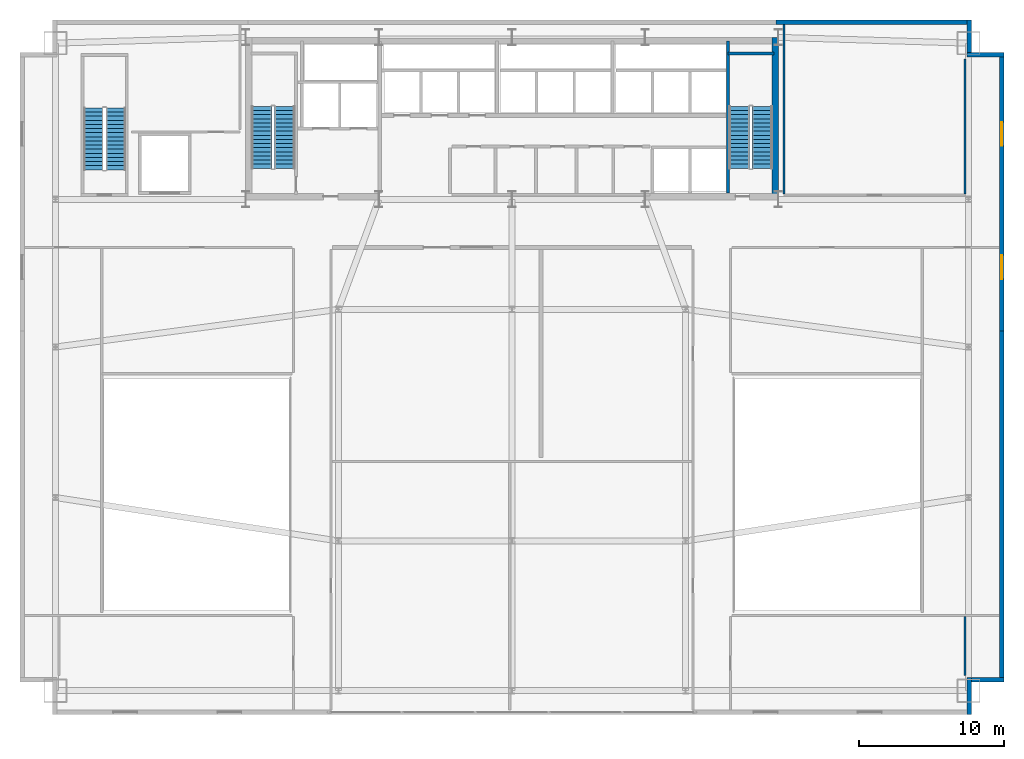
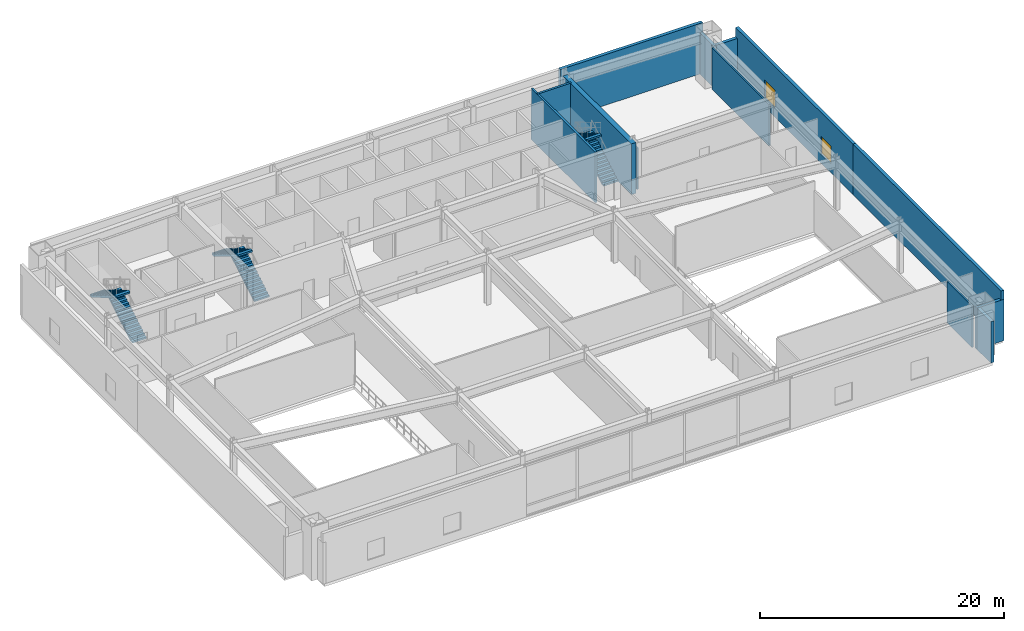
# One storey, part 11 of 13: 13 walls, 6 stair flights, 2 windows, 2 openings, 3 elements without a shape of their own.
"""IFC4 building model written with IfcOpenShell, lengths in metres."""

import ifcopenshell
import ifcopenshell.guid

model = None  # the IFC model being written
_history = None  # IfcOwnerHistory: only IFC2X3 demands one
_inside = {}  # id of a spatial element -> (the spatial element, [elements in it])
_under = {}  # id of a project, library or spatial element -> (it, [spatial elements below it])
_declared = {}  # id of a project -> (the project, [libraries it declares])
_typed = {}  # id of a type object -> (the type object, [elements of that type])
_made_of = {}  # id of a material, layer set ... -> (it, [elements and type objects made of it])


def new_model(schema):
    """Start an empty IFC model of exactly this schema.

    Asked for "IFC4X3", IfcOpenShell would pick the latest addendum, in which some entities
    have other attributes; the version numbers below select the first issue.
    IFC2X3 requires an IfcOwnerHistory on every rooted entity: one is made here for all.
    """
    global model, _history
    if schema == "IFC4X3":
        model = ifcopenshell.file(schema_version=(4, 3, 0, 0))
    else:
        model = ifcopenshell.file(schema=schema)
    _inside.clear()
    _under.clear()
    _declared.clear()
    _typed.clear()
    _made_of.clear()
    _history = None
    if model.schema == "IFC2X3":
        org = make("IfcOrganization", Name="unknown")
        user = make(
            "IfcPersonAndOrganization",
            ThePerson=make("IfcPerson", FamilyName="unknown"),
            TheOrganization=org,
        )
        app = make(
            "IfcApplication",
            ApplicationDeveloper=org,
            Version="unknown",
            ApplicationFullName="unknown",
            ApplicationIdentifier="unknown",
        )
        _history = make(
            "IfcOwnerHistory",
            OwningUser=user,
            OwningApplication=app,
            ChangeAction="ADDED",
            CreationDate=0,
        )
    return model


def make(cls, **values):
    """One entity of the class cls with the attributes given. An attribute that is None is left unset."""
    return model.create_entity(
        cls, **{name: value for name, value in values.items() if value is not None}
    )


def rooted(cls, **values):
    """An entity with a GlobalId (a new one), such as an element, a storey or a relation."""
    return make(cls, GlobalId=ifcopenshell.guid.new(), OwnerHistory=_history, **values)


def si_unit(unit_type, name, prefix=None):
    """IfcSIUnit, for example si_unit("LENGTHUNIT", "METRE", prefix="MILLI")."""
    return make("IfcSIUnit", UnitType=unit_type, Prefix=prefix, Name=name)


def assignment(units):
    """IfcUnitAssignment: the units of a project."""
    return None if units is None else make("IfcUnitAssignment", Units=units)


def point(xyz):
    """IfcCartesianPoint."""
    return None if xyz is None else make("IfcCartesianPoint", Coordinates=xyz)


def direction(xyz):
    """IfcDirection."""
    return None if xyz is None else make("IfcDirection", DirectionRatios=xyz)


def frame(location, z_axis=None, x_axis=None):
    """IfcAxis2Placement3D, a coordinate frame: its origin and axes. An axis left out is left unset."""
    return make(
        "IfcAxis2Placement3D",
        Location=point(location),
        Axis=direction(z_axis),
        RefDirection=direction(x_axis),
    )


def frame_2d(location, x_axis=None):
    """IfcAxis2Placement2D, a coordinate frame in the plane: its origin and x axis."""
    return make(
        "IfcAxis2Placement2D", Location=point(location), RefDirection=direction(x_axis)
    )


def origin():
    """The frame at (0, 0, 0) with its axes left unset."""
    return frame((0.0, 0.0, 0.0))


def place(relative_to, where):
    """IfcLocalPlacement: puts the frame where relative to a parent placement (None: the world)."""
    return make(
        "IfcLocalPlacement", PlacementRelTo=relative_to, RelativePlacement=where
    )


def context(
    kind, dimensions, precision=None, world=None, true_north=None, identifier=None
):
    """IfcGeometricRepresentationContext, for example the 3D "Model" context."""
    return make(
        "IfcGeometricRepresentationContext",
        ContextIdentifier=identifier,
        ContextType=kind,
        CoordinateSpaceDimension=dimensions,
        Precision=precision,
        WorldCoordinateSystem=world,
        TrueNorth=true_north,
    )


def subcontext(parent, identifier, kind, view, scale=None):
    """IfcGeometricRepresentationSubContext, for example "Body" below "Model"."""
    return make(
        "IfcGeometricRepresentationSubContext",
        ContextIdentifier=identifier,
        ContextType=kind,
        ParentContext=parent,
        TargetScale=scale,
        TargetView=view,
    )


def project(units=None, contexts=None):
    """IfcProject with its units and contexts."""
    return rooted(
        "IfcProject",
        Name="project",
        RepresentationContexts=contexts,
        UnitsInContext=assignment(units),
    )


def spatial(cls, under=None, at=None, **own):
    """A site, building, storey or space (cls), placed at a placement, below another one or the project."""
    s = rooted(cls, ObjectPlacement=at, **own)
    if under is not None:
        _under.setdefault(under.id(), (under, []))[1].append(s)
    return s


def polyline(points):
    """IfcPolyline through the points."""
    return make("IfcPolyline", Points=[point(p) for p in points])


def profile(cls, at=None, kind="AREA", **sizes):
    """A parametric profile (cls). Its sizes go by their IFC names, for example OverallWidth=200.0."""
    return make(cls, ProfileType=kind, Position=at, **sizes)


def rectangle(**sizes):
    """IfcRectangleProfileDef."""
    return profile("IfcRectangleProfileDef", **sizes)


def outline(outer, holes=None, kind="AREA"):
    """IfcArbitraryClosedProfileDef: a profile drawn as a closed curve; with holes, ...WithVoids."""
    if holes is None:
        return make("IfcArbitraryClosedProfileDef", ProfileType=kind, OuterCurve=outer)
    return make(
        "IfcArbitraryProfileDefWithVoids",
        ProfileType=kind,
        OuterCurve=outer,
        InnerCurves=holes,
    )


def extrude(swept, where, along, depth):
    """IfcExtrudedAreaSolid: the profile swept, set in the frame where, extruded along a direction by depth."""
    return make(
        "IfcExtrudedAreaSolid",
        SweptArea=swept,
        Position=where,
        ExtrudedDirection=direction(along),
        Depth=depth,
    )


def shape(context_of_items, identifier, shape_type, items):
    """IfcShapeRepresentation: the items that make up one representation, for example the "Body"."""
    return make(
        "IfcShapeRepresentation",
        ContextOfItems=context_of_items,
        RepresentationIdentifier=identifier,
        RepresentationType=shape_type,
        Items=items,
    )


def source(mapping_origin, context_of_items, identifier, shape_type, items):
    """IfcRepresentationMap: a shape defined once, which mapped items show again and again."""
    return make(
        "IfcRepresentationMap",
        MappingOrigin=mapping_origin,
        MappedRepresentation=shape(context_of_items, identifier, shape_type, items),
    )


def transform(
    local_origin,
    x_axis=None,
    y_axis=None,
    z_axis=None,
    scale=None,
    scale2=None,
    scale3=None,
    uniform=True,
):
    """IfcCartesianTransformationOperator3D, or its non-uniform kind. x_axis, y_axis, z_axis: its Axis1, 2, 3."""
    if uniform:
        return make(
            "IfcCartesianTransformationOperator3D",
            Axis1=direction(x_axis),
            Axis2=direction(y_axis),
            LocalOrigin=point(local_origin),
            Scale=scale,
            Axis3=direction(z_axis),
        )
    return make(
        "IfcCartesianTransformationOperator3DnonUniform",
        Axis1=direction(x_axis),
        Axis2=direction(y_axis),
        LocalOrigin=point(local_origin),
        Scale=scale,
        Axis3=direction(z_axis),
        Scale2=scale2,
        Scale3=scale3,
    )


def mapped(mapping_source, mapping_target):
    """IfcMappedItem: shows the shape of a source again, moved by a transform."""
    return make(
        "IfcMappedItem", MappingSource=mapping_source, MappingTarget=mapping_target
    )


def material(Name=None, Category=None):
    """IfcMaterial."""
    return make("IfcMaterial", Name=Name, Category=Category)


def layer(
    of_material, thickness, ventilated=None, Name=None, Category=None, Priority=None
):
    """IfcMaterialLayer: one layer of a wall or slab, of a material (None: an air gap)."""
    return make(
        "IfcMaterialLayer",
        Material=of_material,
        LayerThickness=thickness,
        IsVentilated=ventilated,
        Name=Name,
        Category=Category,
        Priority=Priority,
    )


def layer_set(layers, Name=None):
    """IfcMaterialLayerSet."""
    return make("IfcMaterialLayerSet", MaterialLayers=layers, LayerSetName=Name)


def made_of(thing, what):
    """Note that an element or type object is made of a material, layer set ...; save() writes the relation."""
    if what is not None:
        _made_of.setdefault(what.id(), (what, []))[1].append(thing)
    return thing


def type_object(cls, material=None, **own):
    """A type object (cls), such as IfcWallType, which elements share."""
    return made_of(rooted(cls, **own), material)


def type_shapes(of_type, sources):
    """Give a type object the sources (RepresentationMaps) that its elements show as mapped items."""
    of_type.RepresentationMaps = sources


def element(
    cls,
    number,
    at=None,
    inside=None,
    cuts=None,
    type_object=None,
    material=None,
    context=None,
    identifier="Body",
    shape_type=None,
    held_by="IfcProductDefinitionShape",
    body=None,
    shapes=None,
    **own,
):
    """One element of the class cls, such as IfcWall. Its Tag is "e" and its number.

    at: its placement. inside: the storey or other place that contains it. cuts: it is an
    opening in that element (IfcRelVoidsElement). A single representation is given by context,
    identifier, shape_type and body (its items); several are given by shapes. held_by: the class
    of the entity that holds the representations. save() writes the other relations.
    """
    e = rooted(cls, Tag="e%d" % number, ObjectPlacement=at, **own)
    if body is not None:
        shapes = [shape(context, identifier, shape_type, body)]
    if shapes is not None:
        e.Representation = make(held_by, Representations=shapes)
    if inside is not None:
        _inside.setdefault(inside.id(), (inside, []))[1].append(e)
    if cuts is not None:
        rooted(
            "IfcRelVoidsElement", RelatingBuildingElement=cuts, RelatedOpeningElement=e
        )
    if type_object is not None:
        _typed.setdefault(type_object.id(), (type_object, []))[1].append(e)
    return made_of(e, material)


def fill(opening, filler):
    """IfcRelFillsElement: the door or window that sits in an opening."""
    return rooted(
        "IfcRelFillsElement",
        RelatingOpeningElement=opening,
        RelatedBuildingElement=filler,
    )


def aggregate(whole, parts):
    """IfcRelAggregates: a whole, such as a stair, and the parts it consists of."""
    return rooted("IfcRelAggregates", RelatingObject=whole, RelatedObjects=parts)


def save(model, path):
    """Write the relations noted so far, then the file.

    IfcRelAggregates (storeys below a building ...), IfcRelContainedInSpatialStructure (elements
    in a storey), IfcRelDefinesByType, IfcRelAssociatesMaterial and IfcRelDeclares: one each for
    every whole, place, type object, material and project.
    """
    for whole, parts in _under.values():
        aggregate(whole, parts)
    for where, things in _inside.values():
        rooted(
            "IfcRelContainedInSpatialStructure",
            RelatedElements=things,
            RelatingStructure=where,
        )
    for kind, things in _typed.values():
        rooted("IfcRelDefinesByType", RelatedObjects=things, RelatingType=kind)
    for what, things in _made_of.values():
        rooted("IfcRelAssociatesMaterial", RelatedObjects=things, RelatingMaterial=what)
    for by, libraries in _declared.values():
        rooted("IfcRelDeclares", RelatingContext=by, RelatedDefinitions=libraries)
    model.write(path)


model = new_model("IFC4")

# Units and contexts
model_context = context("Model", 3, precision=1e-05, world=origin(), true_north=direction((0.0, 1.0)))
body_context = subcontext(model_context, "Body", "Model", "MODEL_VIEW")
ifc_project = project(units=[si_unit("LENGTHUNIT", "METRE"), si_unit("AREAUNIT", "SQUARE_METRE"), si_unit("VOLUMEUNIT", "CUBIC_METRE"), si_unit("PLANEANGLEUNIT", "RADIAN"), si_unit("MASSUNIT", "GRAM", prefix="KILO")], contexts=[model_context])

# Site, building, storey
site_placement = place(None, origin())
site = spatial("IfcSite", under=ifc_project, at=site_placement, CompositionType="ELEMENT")
building_placement = place(site_placement, origin())
building = spatial("IfcBuilding", under=site, at=building_placement, Name="Varnel Quay Broadcast Tower", CompositionType="ELEMENT")
storey_placement = place(building_placement, frame((0.0, 0.0, 16.800048828125)))
storey = spatial("IfcBuildingStorey", under=building, at=storey_placement, Name="L03", CompositionType="ELEMENT", Elevation=16.800048828125)

# Walls
ifc_material_1 = material(Name="Concrete CSA A23.3 C50/60", Category="concrete")
ifc_layer_1 = layer(ifc_material_1, 0.199951171875, Name="Concrete CSA A23.3 C50/60")
ifc_layer_set_1 = layer_set([ifc_layer_1], Name="Concrete CSA A23.3 C50/60")
wall_type_1 = type_object("IfcWallType", Name="Wall_CoreShaftShear200", PredefinedType="SHEAR", material=ifc_layer_set_1)
wall_1_placement = place(storey_placement, frame((48.919921875, 36.050048828125, 0.0), z_axis=(0.0, 0.0, 1.0), x_axis=(0.0, 1.0, 0.0)))
element("IfcWall", 1, at=wall_1_placement, inside=storey, type_object=wall_type_1, Name="L03 Stair 2 West Structural Wall", PredefinedType="SHEAR", context=body_context, shape_type="SweptSolid", body=[
    extrude(rectangle(XDim=10.5, YDim=0.199951171875, at=frame_2d((5.25, 0.0))), origin(), (0.0, 0.0, 1.0), 5.079833984375),
])
wall_2_placement = place(storey_placement, frame((48.919921875, 45.679931640625, 0.0), z_axis=(0.0, 0.0, 1.0), x_axis=(1.0, 0.0, 0.0)))
element("IfcWall", 2, at=wall_2_placement, inside=storey, type_object=wall_type_1, Name="L03 Stair 2 North Structural Wall", PredefinedType="SHEAR", context=body_context, shape_type="SweptSolid", body=[
    extrude(rectangle(XDim=3.18017578125, YDim=0.199951171875, at=frame_2d((1.590087890625, 0.0))), origin(), (0.0, 0.0, 1.0), 5.079833984375),
])
ifc_material_2 = material(Name="Concrete CSA A23.3 C60/75", Category="concrete")
ifc_layer_2 = layer(ifc_material_2, 0.449951171875, Name="Concrete CSA A23.3 C60/75")
ifc_layer_set_2 = layer_set([ifc_layer_2], Name="Concrete CSA A23.3 C60/75")
wall_type_2 = type_object("IfcWallType", Name="Wall_CoreShearInt450", PredefinedType="SHEAR", material=ifc_layer_set_2)
wall_3_placement = place(storey_placement, frame((52.205078125, 35.570068359375, 0.0), z_axis=(0.0, 0.0, 1.0), x_axis=(0.0, 1.0, 0.0)))
element("IfcWall", 3, at=wall_3_placement, inside=storey, type_object=wall_type_2, Name="L03 East Core Shear Wall", PredefinedType="SHEAR", context=body_context, shape_type="SweptSolid", body=[
    extrude(rectangle(XDim=11.22998046875, YDim=0.449951171875, at=frame_2d((5.614990234375, 0.0))), origin(), (0.0, 0.0, 1.0), 5.079833984375),
])
ifc_material_3 = material(Name="Precast Architectural Concrete C40/50", Category="concrete")
ifc_layer_3 = layer(ifc_material_3, 0.300048828125, Name="Precast Architectural Concrete C40/50")
ifc_layer_set_3 = layer_set([ifc_layer_3], Name="Precast Architectural Concrete C40/50")
wall_type_3 = type_object("IfcWallType", Name="Wall_ExtPodium300", PredefinedType="SOLIDWALL", material=ifc_layer_set_3)
wall_4_placement = place(storey_placement, frame((52.25, 47.85009765625, 0.0), z_axis=(0.0, 0.0, 1.0), x_axis=(1.0, 0.0, 0.0)))
element("IfcWall", 4, at=wall_4_placement, inside=storey, type_object=wall_type_3, Name="L03 North Podium Exterior Wall NE", PredefinedType="SOLIDWALL", context=body_context, shape_type="SweptSolid", body=[
    extrude(rectangle(XDim=13.5, YDim=0.300048828125, at=frame_2d((6.75, 0.0))), origin(), (0.0, 0.0, 1.0), 5.06005859375),
])
wall_5_placement = place(storey_placement, frame((67.85009765625, 2.25, 0.0), z_axis=(0.0, 0.0, 1.0), x_axis=(0.0, 1.0, 0.0)))
element("IfcWall", 5, at=wall_5_placement, inside=storey, type_object=wall_type_3, Name="L03 Podium Acoustic Exterior Wall E1", PredefinedType="SOLIDWALL", context=body_context, shape_type="SweptSolid", body=[
    extrude(rectangle(XDim=24.35009765625, YDim=0.300048828125, at=frame_2d((12.175048828125, 0.0))), origin(), (0.0, 0.0, 1.0), 5.06005859375),
])

# Wall, openings, windows
wall_6_placement = place(storey_placement, frame((67.85009765625, 26.5, 0.0), z_axis=(0.0, 0.0, 1.0), x_axis=(0.0, 1.0, 0.0)))
wall_6 = element("IfcWall", 6, at=wall_6_placement, inside=storey, type_object=wall_type_3, Name="L03 Podium Acoustic Exterior Wall E2", PredefinedType="SOLIDWALL", context=body_context, shape_type="SweptSolid", body=[
    extrude(rectangle(XDim=19.25, YDim=0.300048828125, at=frame_2d((9.625, 0.0))), origin(), (0.0, 0.0, 1.0), 5.06005859375),
])
opening_1_placement = place(wall_6_placement, frame((3.60009765625, 0.0, 0.89990234375)))
opening_1 = element("IfcOpeningElement", 7, at=opening_1_placement, cuts=wall_6, Name="Opening W-05", PredefinedType="OPENING", context=body_context, shape_type="SweptSolid", body=[
    extrude(rectangle(XDim=1.64990234375, YDim=1.800048828125, at=frame_2d((0.824951171875, 0.89990234375))), frame((0.0, 0.16015625, 0.0), z_axis=(0.0, -1.0, 0.0), x_axis=(1.0, 0.0, 0.0)), (0.0, 0.0, 1.0), 0.320068359375),
])
opening_2_placement = place(wall_6_placement, frame((12.800048828125, 0.0, 0.89990234375)))
opening_2 = element("IfcOpeningElement", 8, at=opening_2_placement, cuts=wall_6, Name="Opening W-05", PredefinedType="OPENING", context=body_context, shape_type="SweptSolid", body=[
    extrude(rectangle(XDim=1.64990234375, YDim=1.800048828125, at=frame_2d((0.824951171875, 0.89990234375))), frame((0.0, 0.16015625, 0.0), z_axis=(0.0, -1.0, 0.0), x_axis=(1.0, 0.0, 0.0)), (0.0, 0.0, 1.0), 0.320068359375),
])
ifc_material_4 = material(Name="Triple-Glazed Bronze Low-E Architectural Glass", Category="glass")
window_type = type_object("IfcWindowType", Name="Win_PodiumStudio1650", PartitioningType="SINGLE_PANEL", PredefinedType="WINDOW", material=ifc_material_4)
shared_shape = source(origin(), body_context, "Body", "SweptSolid", [
    extrude(rectangle(XDim=1.64990234375, YDim=1.800048828125, at=frame_2d((0.824951171875, 0.89990234375))), frame((0.0, 0.030029296875, 0.0), z_axis=(0.0, -1.0, 0.0), x_axis=(1.0, 0.0, 0.0)), (0.0, 0.0, 1.0), 0.06005859375),
])
type_shapes(window_type, [shared_shape])
window_1_placement = place(opening_1_placement, origin())
window_1 = element("IfcWindow", 9, at=window_1_placement, inside=storey, type_object=window_type, Name="L03 Podium Window E2-1", OverallHeight=1.800048828125, OverallWidth=1.64990234375, PartitioningType="SINGLE_PANEL", PredefinedType="WINDOW", context=body_context, shape_type="MappedRepresentation", body=[
    mapped(shared_shape, transform((0.0, 0.0, 0.0), x_axis=(1.0, 0.0, 0.0), y_axis=(0.0, 1.0, 0.0), z_axis=(0.0, 0.0, 1.0), scale=1.0)),
])
fill(opening_1, window_1)
window_2_placement = place(opening_2_placement, origin())
window_2 = element("IfcWindow", 10, at=window_2_placement, inside=storey, type_object=window_type, Name="L03 Podium Window E2-2", OverallHeight=1.800048828125, OverallWidth=1.64990234375, PartitioningType="SINGLE_PANEL", PredefinedType="WINDOW", context=body_context, shape_type="MappedRepresentation", body=[
    mapped(shared_shape, transform((0.0, 0.0, 0.0), x_axis=(1.0, 0.0, 0.0), y_axis=(0.0, 1.0, 0.0), z_axis=(0.0, 0.0, 1.0), scale=1.0)),
])
fill(opening_2, window_2)

# Walls
for number, where, z_axis, x_axis, name in (
    (11, (65.60009765625, 0.0, 0.0), (0.0, 0.0, 1.0), (0.0, 1.0, 0.0), "L03 Podium Acoustic Exterior Wall NSE1"),
    (12, (65.449951171875, 2.39990234375, 0.0), (0.0, 0.0, 1.0), (1.0, 0.0, 0.0), "L03 Podium Acoustic Exterior Wall NSE2"),
    (13, (65.449951171875, 45.60009765625, 0.0), (0.0, 0.0, 1.0), (1.0, 0.0, 0.0), "L03 Podium Acoustic Exterior Wall NNE1"),
    (14, (65.60009765625, 45.449951171875, 0.0), (0.0, 0.0, 1.0), (0.0, 1.0, 0.0), "L03 Podium Acoustic Exterior Wall NNE2"),
):
    element("IfcWall", number, at=place(storey_placement, frame(where, z_axis=z_axis, x_axis=x_axis)), inside=storey, type_object=wall_type_3, Name=name, PredefinedType="SOLIDWALL", context=body_context, shape_type="SweptSolid", body=[
        extrude(rectangle(XDim=2.550048828125, YDim=0.300048828125, at=frame_2d((1.27490234375, 0.0))), origin(), (0.0, 0.0, 1.0), 4.14306640625),
    ])
ifc_material_5 = material(Name="Steel-Stud Fire-Rated Acoustic Gypsum Partition Assembly", Category="steel")
ifc_layer_4 = layer(ifc_material_5, 0.14990234375, Name="Steel-Stud Fire-Rated Acoustic Gypsum Partition Assembly")
ifc_layer_set_4 = layer_set([ifc_layer_4], Name="Steel-Stud Fire-Rated Acoustic Gypsum Partition Assembly")
wall_type_4 = type_object("IfcWallType", Name="Wall_Partition150", PredefinedType="PARTITIONING", material=ifc_layer_set_4)
wall_7_placement = place(storey_placement, frame((65.300048828125, 2.699951171875, 0.0), z_axis=(0.0, 0.0, 1.0), x_axis=(0.0, 1.0, 0.0)))
element("IfcWall", 15, at=wall_7_placement, inside=storey, type_object=wall_type_4, Name="L03 South-East Acoustic Edit Office Partition 17", PredefinedType="PARTITIONING", context=body_context, shape_type="SweptSolid", body=[
    extrude(rectangle(XDim=4.074951171875, YDim=0.14990234375, at=frame_2d((2.03759765625, 0.0))), origin(), (0.0, 0.0, 1.0), 4.14306640625),
])
wall_8_placement = place(storey_placement, frame((65.300048828125, 35.97509765625, 0.0), z_axis=(0.0, 0.0, 1.0), x_axis=(0.0, 1.0, 0.0)))
element("IfcWall", 16, at=wall_8_placement, inside=storey, type_object=wall_type_4, Name="L03 Broadcast Engineering Office Partition 31", PredefinedType="PARTITIONING", context=body_context, shape_type="SweptSolid", body=[
    extrude(rectangle(XDim=9.324951171875, YDim=0.14990234375, at=frame_2d((4.66259765625, 0.0))), origin(), (0.0, 0.0, 1.0), 4.14306640625),
])
wall_9_placement = place(storey_placement, frame((52.800048828125, 35.97509765625, 0.0), z_axis=(0.0, 0.0, 1.0), x_axis=(0.0, 1.0, 0.0)))
element("IfcWall", 17, at=wall_9_placement, inside=storey, type_object=wall_type_4, Name="L03 Broadcast Engineering Office Partition 32", PredefinedType="PARTITIONING", context=body_context, shape_type="SweptSolid", body=[
    extrude(rectangle(XDim=11.71484375, YDim=0.14990234375, at=frame_2d((5.857421875, 0.0))), origin(), (0.0, 0.0, 1.0), 4.14306640625),
])

# Stair, stair flights
ifc_material_6 = material(Name="Precast Structural Concrete C40/50", Category="concrete")
stair_type_1 = type_object("IfcStairType", Name="Stair_ST-01", PredefinedType="HALF_TURN_STAIR", material=ifc_material_6)
stair_1_placement = place(storey_placement, origin())
stair_1 = element("IfcStair", 18, at=stair_1_placement, inside=storey, type_object=stair_type_1, Name="L03 West Core Exit Stair 1", PredefinedType="HALF_TURN_STAIR")
stair_flight_type_1 = type_object("IfcStairFlightType", Name="Flight_ST-01", PredefinedType="STRAIGHT", material=ifc_material_6)
stair_flight_1_placement = place(storey_placement, frame((18.300048828125, 37.75, 0.0), z_axis=(0.0, 0.0, 1.0), x_axis=(0.0, 1.0, 0.0)))
stair_flight_1 = element("IfcStairFlight", 19, at=stair_flight_1_placement, type_object=stair_flight_type_1, Name="ST-01 flight 1", NumberOfRisers=16, NumberOfTreads=15, PredefinedType="STRAIGHT", RiserHeight=0.16875, TreadLength=0.285, context=body_context, shape_type="SweptSolid", body=[
    extrude(outline(polyline([(0.0, 0.0), (0.0, 0.168701171875), (0.284912109375, 0.168701171875), (0.284912109375, 0.33740234375), (0.570068359375, 0.33740234375), (0.570068359375, 0.50634765625), (0.85498046875, 0.50634765625), (0.85498046875, 0.675048828125), (1.139892578125, 0.675048828125), (1.139892578125, 0.84375), (1.425048828125, 0.84375), (1.425048828125, 1.012451171875), (1.7099609375, 1.012451171875), (1.7099609375, 1.18115234375), (1.9951171875, 1.18115234375), (1.9951171875, 1.35009765625), (2.280029296875, 1.35009765625), (2.280029296875, 1.518798828125), (2.56494140625, 1.518798828125), (2.56494140625, 1.6875), (2.85009765625, 1.6875), (2.85009765625, 1.856201171875), (3.135009765625, 1.856201171875), (3.135009765625, 2.02490234375), (3.419921875, 2.02490234375), (3.419921875, 2.19384765625), (3.705078125, 2.19384765625), (3.705078125, 2.362548828125), (3.989990234375, 2.362548828125), (3.989990234375, 2.53125), (4.27490234375, 2.53125), (4.27490234375, 2.699951171875), (4.27490234375, 2.35693359375), (0.294189453125, 0.0), (0.0, 0.0)])), frame((0.0, 0.699951171875, 0.0), z_axis=(0.0, -1.0, 0.0), x_axis=(1.0, 0.0, 0.0)), (0.0, 0.0, 1.0), 1.39990234375),
])
stair_flight_2_placement = place(storey_placement, frame((16.699951171875, 42.02490234375, 2.699951171875), z_axis=(0.0, 0.0, 1.0), x_axis=(0.0, -1.0, 0.0)))
stair_flight_2 = element("IfcStairFlight", 20, at=stair_flight_2_placement, type_object=stair_flight_type_1, Name="ST-01 flight 2", NumberOfRisers=16, NumberOfTreads=15, PredefinedType="STRAIGHT", RiserHeight=0.16875, TreadLength=0.285, context=body_context, shape_type="SweptSolid", body=[
    extrude(outline(polyline([(0.0, 0.0), (0.0, 0.168701171875), (0.284912109375, 0.168701171875), (0.284912109375, 0.33740234375), (0.570068359375, 0.33740234375), (0.570068359375, 0.50634765625), (0.85498046875, 0.50634765625), (0.85498046875, 0.675048828125), (1.139892578125, 0.675048828125), (1.139892578125, 0.84375), (1.425048828125, 0.84375), (1.425048828125, 1.012451171875), (1.7099609375, 1.012451171875), (1.7099609375, 1.18115234375), (1.9951171875, 1.18115234375), (1.9951171875, 1.35009765625), (2.280029296875, 1.35009765625), (2.280029296875, 1.518798828125), (2.56494140625, 1.518798828125), (2.56494140625, 1.6875), (2.85009765625, 1.6875), (2.85009765625, 1.856201171875), (3.135009765625, 1.856201171875), (3.135009765625, 2.02490234375), (3.419921875, 2.02490234375), (3.419921875, 2.19384765625), (3.705078125, 2.19384765625), (3.705078125, 2.362548828125), (3.989990234375, 2.362548828125), (3.989990234375, 2.53125), (4.27490234375, 2.53125), (4.27490234375, 2.699951171875), (4.27490234375, 2.35693359375), (0.294189453125, 0.0), (0.0, 0.0)])), frame((0.0, 0.699951171875, 0.0), z_axis=(0.0, -1.0, 0.0), x_axis=(1.0, 0.0, 0.0)), (0.0, 0.0, 1.0), 1.39990234375),
])
aggregate(stair_1, [stair_flight_1, stair_flight_2])

stair_type_2 = type_object("IfcStairType", Name="Stair_ST-02", PredefinedType="HALF_TURN_STAIR", material=ifc_material_6)
stair_2_placement = place(storey_placement, origin())
stair_2 = element("IfcStair", 21, at=stair_2_placement, inside=storey, type_object=stair_type_2, Name="L03 East Core Exit Stair 2", PredefinedType="HALF_TURN_STAIR")
stair_flight_type_2 = type_object("IfcStairFlightType", Name="Flight_ST-02", PredefinedType="STRAIGHT", material=ifc_material_6)
stair_flight_3_placement = place(storey_placement, frame((51.300048828125, 37.75, 0.0), z_axis=(0.0, 0.0, 1.0), x_axis=(0.0, 1.0, 0.0)))
stair_flight_3 = element("IfcStairFlight", 22, at=stair_flight_3_placement, type_object=stair_flight_type_2, Name="ST-02 flight 1", NumberOfRisers=16, NumberOfTreads=15, PredefinedType="STRAIGHT", RiserHeight=0.16875, TreadLength=0.285, context=body_context, shape_type="SweptSolid", body=[
    extrude(outline(polyline([(0.0, 0.0), (0.0, 0.168701171875), (0.284912109375, 0.168701171875), (0.284912109375, 0.33740234375), (0.570068359375, 0.33740234375), (0.570068359375, 0.50634765625), (0.85498046875, 0.50634765625), (0.85498046875, 0.675048828125), (1.139892578125, 0.675048828125), (1.139892578125, 0.84375), (1.425048828125, 0.84375), (1.425048828125, 1.012451171875), (1.7099609375, 1.012451171875), (1.7099609375, 1.18115234375), (1.9951171875, 1.18115234375), (1.9951171875, 1.35009765625), (2.280029296875, 1.35009765625), (2.280029296875, 1.518798828125), (2.56494140625, 1.518798828125), (2.56494140625, 1.6875), (2.85009765625, 1.6875), (2.85009765625, 1.856201171875), (3.135009765625, 1.856201171875), (3.135009765625, 2.02490234375), (3.419921875, 2.02490234375), (3.419921875, 2.19384765625), (3.705078125, 2.19384765625), (3.705078125, 2.362548828125), (3.989990234375, 2.362548828125), (3.989990234375, 2.53125), (4.27490234375, 2.53125), (4.27490234375, 2.699951171875), (4.27490234375, 2.35693359375), (0.294189453125, 0.0), (0.0, 0.0)])), frame((0.0, 0.699951171875, 0.0), z_axis=(0.0, -1.0, 0.0), x_axis=(1.0, 0.0, 0.0)), (0.0, 0.0, 1.0), 1.39990234375),
])
stair_flight_4_placement = place(storey_placement, frame((49.699951171875, 42.02490234375, 2.699951171875), z_axis=(0.0, 0.0, 1.0), x_axis=(0.0, -1.0, 0.0)))
stair_flight_4 = element("IfcStairFlight", 23, at=stair_flight_4_placement, type_object=stair_flight_type_2, Name="ST-02 flight 2", NumberOfRisers=16, NumberOfTreads=15, PredefinedType="STRAIGHT", RiserHeight=0.16875, TreadLength=0.285, context=body_context, shape_type="SweptSolid", body=[
    extrude(outline(polyline([(0.0, 0.0), (0.0, 0.168701171875), (0.284912109375, 0.168701171875), (0.284912109375, 0.33740234375), (0.570068359375, 0.33740234375), (0.570068359375, 0.50634765625), (0.85498046875, 0.50634765625), (0.85498046875, 0.675048828125), (1.139892578125, 0.675048828125), (1.139892578125, 0.84375), (1.425048828125, 0.84375), (1.425048828125, 1.012451171875), (1.7099609375, 1.012451171875), (1.7099609375, 1.18115234375), (1.9951171875, 1.18115234375), (1.9951171875, 1.35009765625), (2.280029296875, 1.35009765625), (2.280029296875, 1.518798828125), (2.56494140625, 1.518798828125), (2.56494140625, 1.6875), (2.85009765625, 1.6875), (2.85009765625, 1.856201171875), (3.135009765625, 1.856201171875), (3.135009765625, 2.02490234375), (3.419921875, 2.02490234375), (3.419921875, 2.19384765625), (3.705078125, 2.19384765625), (3.705078125, 2.362548828125), (3.989990234375, 2.362548828125), (3.989990234375, 2.53125), (4.27490234375, 2.53125), (4.27490234375, 2.699951171875), (4.27490234375, 2.35693359375), (0.294189453125, 0.0), (0.0, 0.0)])), frame((0.0, 0.699951171875, 0.0), z_axis=(0.0, -1.0, 0.0), x_axis=(1.0, 0.0, 0.0)), (0.0, 0.0, 1.0), 1.39990234375),
])
aggregate(stair_2, [stair_flight_3, stair_flight_4])

stair_type_3 = type_object("IfcStairType", Name="Stair_ST-03", PredefinedType="HALF_TURN_STAIR", material=ifc_material_6)
stair_3_placement = place(storey_placement, origin())
stair_3 = element("IfcStair", 24, at=stair_3_placement, inside=storey, type_object=stair_type_3, Name="L03 Podium Studio Exit Stair 3", PredefinedType="HALF_TURN_STAIR")
stair_flight_type_3 = type_object("IfcStairFlightType", Name="Flight_ST-03", PredefinedType="STRAIGHT", material=ifc_material_6)
stair_flight_5_placement = place(storey_placement, frame((6.625, 37.64990234375, 0.0), z_axis=(0.0, 0.0, 1.0), x_axis=(0.0, 1.0, 0.0)))
stair_flight_5 = element("IfcStairFlight", 25, at=stair_flight_5_placement, type_object=stair_flight_type_3, Name="ST-03 flight 1", NumberOfRisers=16, NumberOfTreads=15, PredefinedType="STRAIGHT", RiserHeight=0.16875, TreadLength=0.285, context=body_context, shape_type="SweptSolid", body=[
    extrude(outline(polyline([(0.0, 0.0), (0.0, 0.168701171875), (0.284912109375, 0.168701171875), (0.284912109375, 0.33740234375), (0.570068359375, 0.33740234375), (0.570068359375, 0.50634765625), (0.85498046875, 0.50634765625), (0.85498046875, 0.675048828125), (1.139892578125, 0.675048828125), (1.139892578125, 0.84375), (1.425048828125, 0.84375), (1.425048828125, 1.012451171875), (1.7099609375, 1.012451171875), (1.7099609375, 1.18115234375), (1.9951171875, 1.18115234375), (1.9951171875, 1.35009765625), (2.280029296875, 1.35009765625), (2.280029296875, 1.518798828125), (2.56494140625, 1.518798828125), (2.56494140625, 1.6875), (2.85009765625, 1.6875), (2.85009765625, 1.856201171875), (3.135009765625, 1.856201171875), (3.135009765625, 2.02490234375), (3.419921875, 2.02490234375), (3.419921875, 2.19384765625), (3.705078125, 2.19384765625), (3.705078125, 2.362548828125), (3.989990234375, 2.362548828125), (3.989990234375, 2.53125), (4.27490234375, 2.53125), (4.27490234375, 2.699951171875), (4.27490234375, 2.35693359375), (0.294189453125, 0.0), (0.0, 0.0)])), frame((0.0, 0.675048828125, 0.0), z_axis=(0.0, -1.0, 0.0), x_axis=(1.0, 0.0, 0.0)), (0.0, 0.0, 1.0), 1.35009765625),
])
stair_flight_6_placement = place(storey_placement, frame((5.074951171875, 41.925048828125, 2.699951171875), z_axis=(0.0, 0.0, 1.0), x_axis=(0.0, -1.0, 0.0)))
stair_flight_6 = element("IfcStairFlight", 26, at=stair_flight_6_placement, type_object=stair_flight_type_3, Name="ST-03 flight 2", NumberOfRisers=16, NumberOfTreads=15, PredefinedType="STRAIGHT", RiserHeight=0.16875, TreadLength=0.285, context=body_context, shape_type="SweptSolid", body=[
    extrude(outline(polyline([(0.0, 0.0), (0.0, 0.168701171875), (0.284912109375, 0.168701171875), (0.284912109375, 0.33740234375), (0.570068359375, 0.33740234375), (0.570068359375, 0.50634765625), (0.85498046875, 0.50634765625), (0.85498046875, 0.675048828125), (1.139892578125, 0.675048828125), (1.139892578125, 0.84375), (1.425048828125, 0.84375), (1.425048828125, 1.012451171875), (1.7099609375, 1.012451171875), (1.7099609375, 1.18115234375), (1.9951171875, 1.18115234375), (1.9951171875, 1.35009765625), (2.280029296875, 1.35009765625), (2.280029296875, 1.518798828125), (2.56494140625, 1.518798828125), (2.56494140625, 1.6875), (2.85009765625, 1.6875), (2.85009765625, 1.856201171875), (3.135009765625, 1.856201171875), (3.135009765625, 2.02490234375), (3.419921875, 2.02490234375), (3.419921875, 2.19384765625), (3.705078125, 2.19384765625), (3.705078125, 2.362548828125), (3.989990234375, 2.362548828125), (3.989990234375, 2.53125), (4.27490234375, 2.53125), (4.27490234375, 2.699951171875), (4.27490234375, 2.35693359375), (0.294189453125, 0.0), (0.0, 0.0)])), frame((0.0, 0.675048828125, 0.0), z_axis=(0.0, -1.0, 0.0), x_axis=(1.0, 0.0, 0.0)), (0.0, 0.0, 1.0), 1.35009765625),
])
aggregate(stair_3, [stair_flight_5, stair_flight_6])

save(model, "model.ifc")
